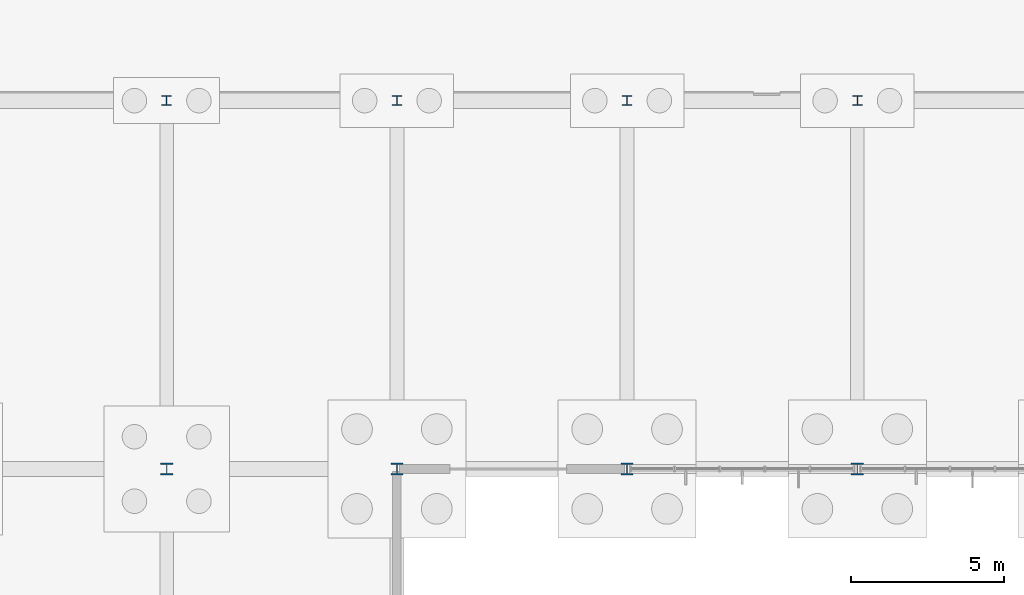
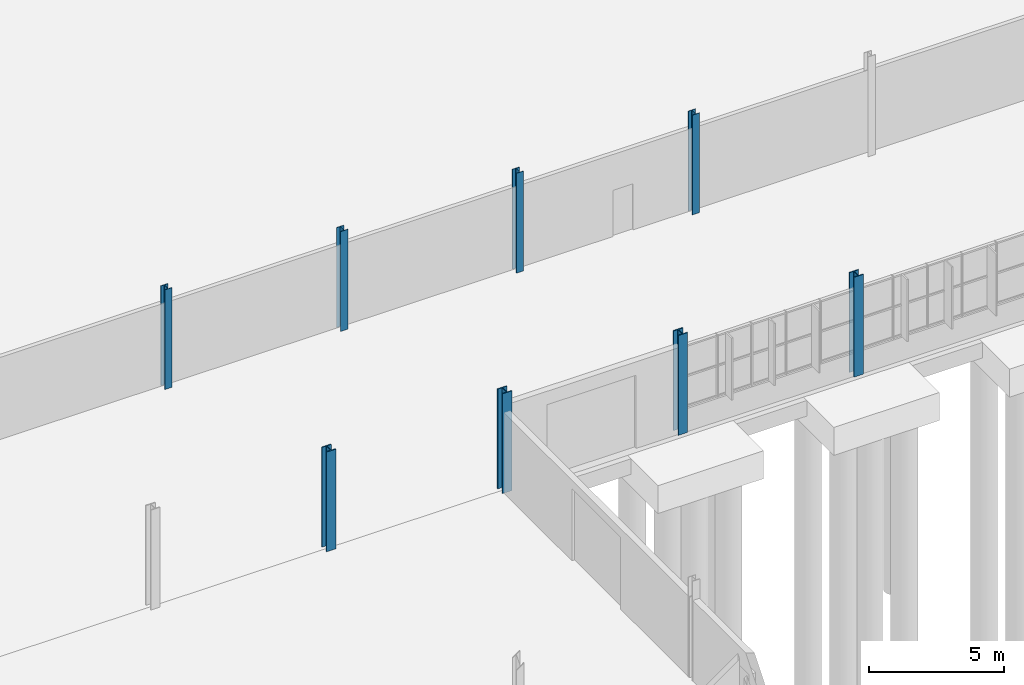
# One storey, part 16 of 136: 8 columns.
"""IFC4 building model written with IfcOpenShell, lengths in metres."""

from ifc_helpers import new_model, si_unit, direction, frame, origin, origin_2d, place, context, subcontext, project, spatial, i_section, extrude, material, material_profile, profile_set, type_object, element, save


model = new_model("IFC4")

# Units and contexts
model_context = context("Model", 3, precision=1e-05, world=origin(), true_north=direction((0.0, 1.0)))
body_context = subcontext(model_context, "Body", "Model", "MODEL_VIEW")
ifc_project = project(units=[si_unit("LENGTHUNIT", "METRE"), si_unit("AREAUNIT", "SQUARE_METRE"), si_unit("VOLUMEUNIT", "CUBIC_METRE"), si_unit("PLANEANGLEUNIT", "RADIAN"), si_unit("MASSUNIT", "GRAM", prefix="KILO")], contexts=[model_context])

# Site, building, storey
site_placement = place(None, origin())
site = spatial("IfcSite", under=ifc_project, at=site_placement, CompositionType="ELEMENT")
building_placement = place(site_placement, origin())
building = spatial("IfcBuilding", under=site, at=building_placement, Name="Solvenia Promenade Tram Depot", CompositionType="ELEMENT")
storey_placement = place(building_placement, origin())
storey = spatial("IfcBuildingStorey", under=building, at=storey_placement, Name="L00", CompositionType="ELEMENT", Elevation=0.0)

# Columns
ifc_material = material(Name="Structural steel ASTM A992 Gr. 50", Category="steel")
ifc_material_profile_1 = material_profile(ifc_material, i_section(OverallWidth=0.306884765625, OverallDepth=0.31396484375, WebThickness=0.011962890625, FlangeThickness=0.018798828125, FilletRadius=0.014892578125, at=origin_2d()), Name="W310x117", Category="steel")
ifc_profile_set_1 = profile_set([ifc_material_profile_1], Name="Structural steel ASTM A992 Gr. 50")
column_type_1 = type_object("IfcColumnType", Name="Col-W310x117", PredefinedType="COLUMN", material=ifc_profile_set_1)
for number, where, z_axis, x_axis, name in (
    (1, (37.5, 78.0, 0.0), (0.0, 0.0, 1.0), (1.0, 0.0, 0.0), "Steel Column COL-L00-103"),
    (2, (45.0, 78.0, 0.0), (0.0, 0.0, 1.0), (1.0, 0.0, 0.0), "Steel Column COL-L00-121"),
    (3, (52.5, 78.0, 0.0), (0.0, 0.0, 1.0), (1.0, 0.0, 0.0), "Steel Column COL-L00-135"),
    (4, (60.0, 78.0, 0.0), (0.0, 0.0, 1.0), (1.0, 0.0, 0.0), "Steel Column COL-L00-146"),
):
    element("IfcColumn", number, at=place(storey_placement, frame(where, z_axis=z_axis, x_axis=x_axis)), inside=storey, type_object=column_type_1, Name=name, PredefinedType="COLUMN", context=body_context, shape_type="SweptSolid", body=[
        extrude(i_section(OverallWidth=0.306884765625, OverallDepth=0.31396484375, WebThickness=0.011962890625, FlangeThickness=0.018798828125, FilletRadius=0.014892578125, at=origin_2d()), origin(), (0.0, 0.0, 1.0), 4.5),
    ])
ifc_material_profile_2 = material_profile(ifc_material, i_section(OverallWidth=0.39794921875, OverallDepth=0.386962890625, WebThickness=0.0244140625, FlangeThickness=0.03955078125, FilletRadius=0.01806640625, at=origin_2d()), Name="W360x262", Category="steel")
ifc_profile_set_2 = profile_set([ifc_material_profile_2], Name="Structural steel ASTM A992 Gr. 50")
column_type_2 = type_object("IfcColumnType", Name="Col-W360x262", PredefinedType="COLUMN", material=ifc_profile_set_2)
for number, where, z_axis, x_axis, name in (
    (5, (37.5, 66.0, 0.0), (0.0, 0.0, 1.0), (1.0, 0.0, 0.0), "Steel Column COL-L00-101"),
    (6, (45.0, 66.0, 0.0), (0.0, 0.0, 1.0), (1.0, 0.0, 0.0), "Steel Column COL-L00-119"),
    (7, (52.5, 66.0, 0.0), (0.0, 0.0, 1.0), (1.0, 0.0, 0.0), "Steel Column COL-L00-133"),
    (8, (60.0, 66.0, 0.0), (0.0, 0.0, 1.0), (1.0, 0.0, 0.0), "Steel Column COL-L00-144"),
):
    element("IfcColumn", number, at=place(storey_placement, frame(where, z_axis=z_axis, x_axis=x_axis)), inside=storey, type_object=column_type_2, Name=name, PredefinedType="COLUMN", context=body_context, shape_type="SweptSolid", body=[
        extrude(i_section(OverallWidth=0.39794921875, OverallDepth=0.386962890625, WebThickness=0.0244140625, FlangeThickness=0.03955078125, FilletRadius=0.01806640625, at=origin_2d()), origin(), (0.0, 0.0, 1.0), 4.5),
    ])

save(model, "model.ifc")
